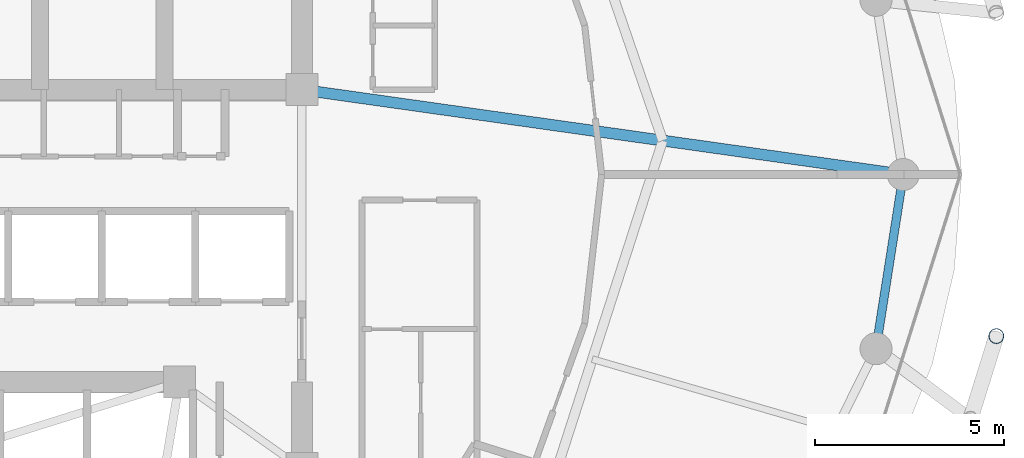
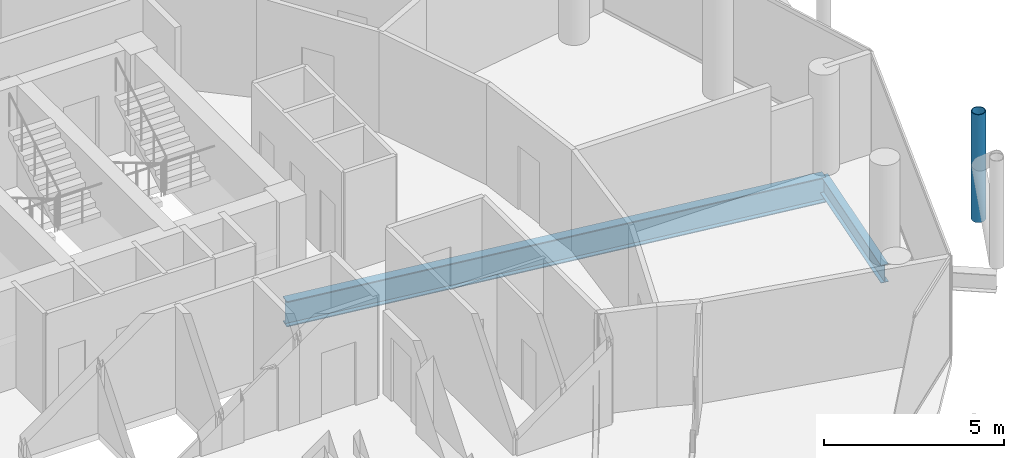
# One storey, part 14 of 27: 2 beams, 1 member.
"""IFC4 building model written with IfcOpenShell, lengths in metres."""

from ifc_helpers import new_model, si_unit, direction, frame, origin, origin_2d, place, context, subcontext, project, spatial, hollow_circle, i_section, extrude, material, material_profile, profile_set, type_object, element, save


model = new_model("IFC4")

# Units and contexts
model_context = context("Model", 3, precision=1e-05, world=origin(), true_north=direction((0.0, 1.0)))
body_context = subcontext(model_context, "Body", "Model", "MODEL_VIEW")
ifc_project = project(units=[si_unit("LENGTHUNIT", "METRE"), si_unit("AREAUNIT", "SQUARE_METRE"), si_unit("VOLUMEUNIT", "CUBIC_METRE"), si_unit("PLANEANGLEUNIT", "RADIAN"), si_unit("MASSUNIT", "GRAM", prefix="KILO")], contexts=[model_context])

# Site, building, storey
site_placement = place(None, origin())
site = spatial("IfcSite", under=ifc_project, at=site_placement, CompositionType="ELEMENT")
building_placement = place(site_placement, origin())
building = spatial("IfcBuilding", under=site, at=building_placement, Name="Nuhasar Tower", CompositionType="ELEMENT")
storey_placement = place(building_placement, frame((0.0, 0.0, 233.699951171875)))
storey = spatial("IfcBuildingStorey", under=building, at=storey_placement, Name="L57", CompositionType="ELEMENT", Elevation=233.699951171875)

# Beams
ifc_material_1 = material(Name="Steel S355", Category="steel")
ifc_material_profile_1 = material_profile(ifc_material_1, i_section(OverallWidth=0.2919921875, OverallDepth=0.85888671875, WebThickness=0.01708984375, FlangeThickness=0.031005859375, at=origin_2d()), Name="W33X169")
ifc_profile_set_1 = profile_set([ifc_material_profile_1], Name="Steel S355")
beam_type_1 = type_object("IfcBeamType", Name="BM-POD-W33X169", PredefinedType="BEAM", material=ifc_profile_set_1)
beam_1_placement = place(storey_placement, frame((44.300048828125, 29.050048828125, -0.6689453125), z_axis=(0.990196233464, -0.139683281866, 0.0), x_axis=(0.139683281866, 0.990196233464, 0.0)))
element("IfcBeam", 1, at=beam_1_placement, inside=storey, type_object=beam_type_1, Name="L57 Radial Floor Girder 04", PredefinedType="BEAM", context=body_context, shape_type="SweptSolid", body=[
    extrude(i_section(OverallWidth=0.2919921875, OverallDepth=0.85888671875, WebThickness=0.01708984375, FlangeThickness=0.031005859375, at=origin_2d()), origin(), (0.0, 0.0, 1.0), 16.10791015625),
])
ifc_material_profile_2 = material_profile(ifc_material_1, i_section(OverallWidth=0.22802734375, OverallDepth=0.60791015625, WebThickness=0.01123046875, FlangeThickness=0.017333984375, at=origin_2d()), Name="W24X76")
ifc_profile_set_2 = profile_set([ifc_material_profile_2], Name="Steel S355")
beam_type_2 = type_object("IfcBeamType", Name="BM-RING-W24X76", PredefinedType="SPANDREL", material=ifc_profile_set_2)
beam_2_placement = place(storey_placement, frame((59.52587890625, 22.179931640625, -0.5439453125), z_axis=(0.154841886404, 0.987939264436, 0.0), x_axis=(-0.987939264436, 0.154841886404, 0.0)))
element("IfcBeam", 2, at=beam_2_placement, inside=storey, type_object=beam_type_2, Name="L57 Perimeter Ring Spandrel 24", PredefinedType="SPANDREL", context=body_context, shape_type="SweptSolid", body=[
    extrude(i_section(OverallWidth=0.22802734375, OverallDepth=0.60791015625, WebThickness=0.01123046875, FlangeThickness=0.017333984375, at=origin_2d()), origin(), (0.0, 0.0, 1.0), 4.676513671875),
])

# Member
ifc_material_2 = material(Name="Steel S460", Category="steel")
ifc_material_profile_3 = material_profile(ifc_material_2, hollow_circle(Radius=0.203125, WallThickness=0.01904296875, at=origin_2d()), Name="HSS406.4X19.1")
ifc_profile_set_3 = profile_set([ifc_material_profile_3], Name="Steel S460")
member_type = type_object("IfcMemberType", Name="EXO-BRONZE-406", PredefinedType="BRACE", material=ifc_profile_set_3)
member_placement = place(storey_placement, frame((62.718017578125, 22.513916015625, 0.0), z_axis=(0.0, 0.0, 1.0), x_axis=(1.0, 0.0, 0.0)))
element("IfcMember", 3, at=member_placement, inside=storey, type_object=member_type, Name="L57 Exoskeleton Chord Column EC-12B", PredefinedType="BRACE", context=body_context, shape_type="SweptSolid", body=[
    extrude(hollow_circle(Radius=0.203125, WallThickness=0.01904296875, at=origin_2d()), origin(), (0.0, 0.0, 1.0), 3.650146484375),
])

save(model, "model.ifc")
